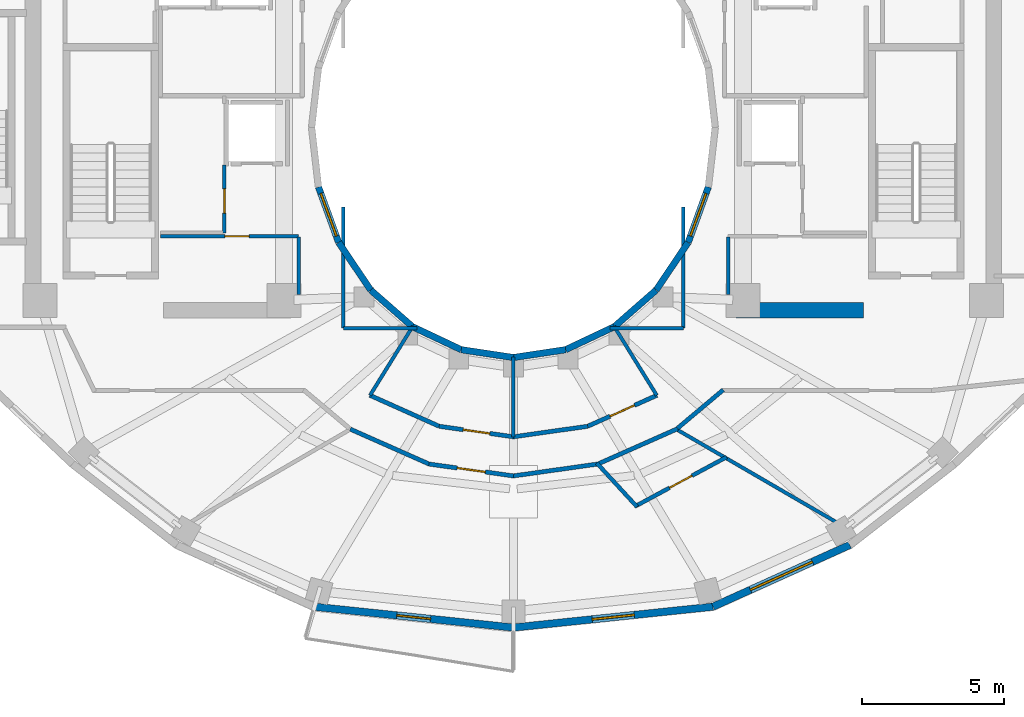
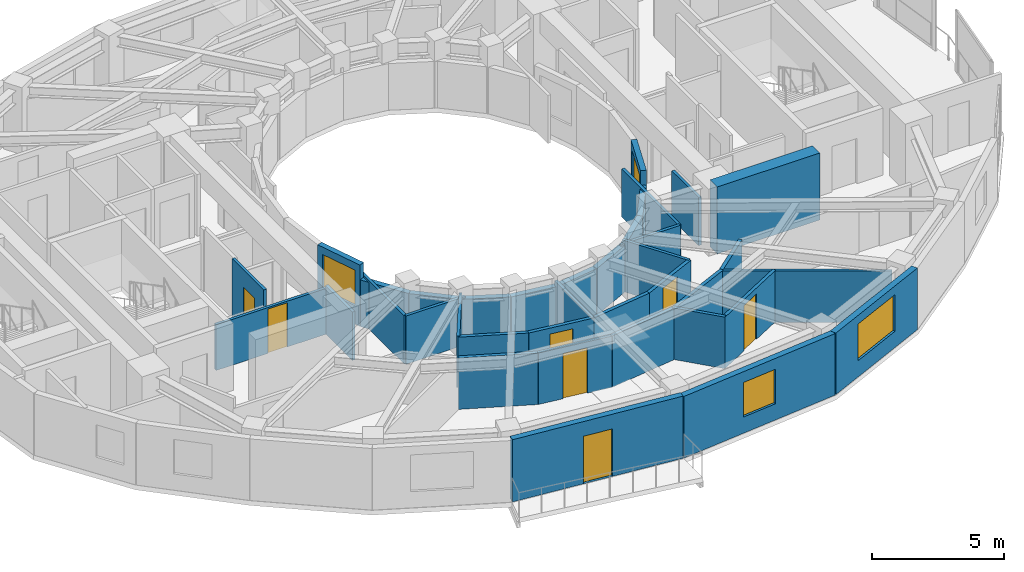
# One storey, part 6 of 12: 37 walls, 7 doors, 4 windows, 11 openings.
"""IFC4 building model written with IfcOpenShell, lengths in metres."""

from ifc_helpers import new_model, si_unit, direction, frame, frame_2d, origin, place, context, subcontext, project, spatial, rectangle, extrude, material, layer, layer_set, type_object, element, fill, save


model = new_model("IFC4")

# Units and contexts
model_context = context("Model", 3, precision=1e-05, world=origin(), true_north=direction((0.0, 1.0)))
body_context = subcontext(model_context, "Body", "Model", "MODEL_VIEW")
ifc_project = project(units=[si_unit("LENGTHUNIT", "METRE"), si_unit("AREAUNIT", "SQUARE_METRE"), si_unit("VOLUMEUNIT", "CUBIC_METRE"), si_unit("PLANEANGLEUNIT", "RADIAN"), si_unit("MASSUNIT", "GRAM", prefix="KILO")], contexts=[model_context])

# Site, building, storey
site_placement = place(None, origin())
site = spatial("IfcSite", under=ifc_project, at=site_placement, CompositionType="ELEMENT")
building_placement = place(site_placement, origin())
building = spatial("IfcBuilding", under=site, at=building_placement, Name="Solvane Sanctuary Tower", CompositionType="ELEMENT")
storey_placement = place(building_placement, frame((0.0, 0.0, 214.0)))
storey = spatial("IfcBuildingStorey", under=building, at=storey_placement, Name="L65", CompositionType="ELEMENT", Elevation=214.0)

# Walls
ifc_material_1 = material(Name="Concrete C50/60", Category="concrete")
ifc_layer_1 = layer(ifc_material_1, 0.550048828125, Name="Concrete C50/60")
ifc_layer_set_1 = layer_set([ifc_layer_1], Name="Concrete C50/60")
wall_type_1 = type_object("IfcWallType", Name="Wall W-CORE-550", PredefinedType="SHEAR", material=ifc_layer_set_1)
wall_1_placement = place(storey_placement, frame((39.85009765625, 16.550048828125, 0.0), z_axis=(0.0, 0.0, 1.0), x_axis=(1.0, 0.0, 0.0)))
element("IfcWall", 1, at=wall_1_placement, inside=storey, type_object=wall_type_1, Name="L65 Core Shear Wall EC-S", PredefinedType="SHEAR", context=body_context, shape_type="SweptSolid", body=[
    extrude(rectangle(XDim=4.5, YDim=0.550048828125, at=frame_2d((2.25, 0.0))), origin(), (0.0, 0.0, 1.0), 3.10009765625),
])
ifc_material_2 = material(Name="Acoustic Gypsum Partition Board")
ifc_layer_2 = layer(ifc_material_2, 0.14990234375, Name="Acoustic Gypsum Partition Board")
ifc_layer_set_2 = layer_set([ifc_layer_2], Name="Acoustic Gypsum Partition Board")
wall_type_2 = type_object("IfcWallType", Name="Wall W-CORR-150", PredefinedType="PARTITIONING", material=ifc_layer_set_2)
wall_2_placement = place(storey_placement, frame((26.934814453125, 13.548583984375, 0.0), z_axis=(0.0, 0.0, 1.0), x_axis=(0.912859324183, -0.408274239027, 0.0)))
element("IfcWall", 2, at=wall_2_placement, inside=storey, type_object=wall_type_2, Name="L65 South Light-Well Corridor Wall 1", PredefinedType="PARTITIONING", context=body_context, shape_type="SweptSolid", body=[
    extrude(rectangle(XDim=2.681884765625, YDim=0.14990234375, at=frame_2d((1.3408203125, 0.0))), origin(), (0.0, 0.0, 1.0), 2.3759765625),
])

# Wall, opening, door
wall_3_placement = place(storey_placement, frame((29.379638671875, 12.45458984375, 0.0), z_axis=(0.0, 0.0, 1.0), x_axis=(0.990096156252, -0.140390887794, 0.0)))
wall_3 = element("IfcWall", 3, at=wall_3_placement, inside=storey, type_object=wall_type_2, Name="L65 South Light-Well Corridor Wall 1", PredefinedType="PARTITIONING", context=body_context, shape_type="SweptSolid", body=[
    extrude(rectangle(XDim=2.65380859375, YDim=0.14990234375, at=frame_2d((1.326904296875, 0.0))), origin(), (0.0, 0.0, 1.0), 2.3759765625),
])
opening_1_placement = place(wall_3_placement, frame((0.851806640625, 0.0, 0.0)))
opening_1 = element("IfcOpeningElement", 4, at=opening_1_placement, cuts=wall_3, Name="Opening D-L65-16", PredefinedType="OPENING", context=body_context, shape_type="SweptSolid", body=[
    extrude(rectangle(XDim=0.949951171875, YDim=2.10009765625, at=frame_2d((0.47509765625, 1.050048828125))), frame((0.0, 0.0849609375, 0.0), z_axis=(0.0, -1.0, 0.0), x_axis=(1.0, 0.0, 0.0)), (0.0, 0.0, 1.0), 0.169921875),
])
ifc_material_3 = material(Name="Engineered Tropical Hardwood", Category="wood")
door_type_1 = type_object("IfcDoorType", Name="Door D-ROOM-950", OperationType="NOTDEFINED", PredefinedType="DOOR", material=ifc_material_3)
door_1_placement = place(opening_1_placement, origin())
door_1 = element("IfcDoor", 5, at=door_1_placement, inside=storey, type_object=door_type_1, Name="L65 South Light-Well Alcove Door 1", OperationType="SINGLE_SWING_RIGHT", OverallHeight=2.10009765625, OverallWidth=0.949951171875, PredefinedType="DOOR", context=body_context, shape_type="SweptSolid", body=[
    extrude(rectangle(XDim=0.949951171875, YDim=2.10009765625, at=frame_2d((0.47509765625, 1.050048828125))), frame((0.0, 0.02490234375, 0.0), z_axis=(0.0, -1.0, 0.0), x_axis=(1.0, 0.0, 0.0)), (0.0, 0.0, 1.0), 0.050048828125),
])
fill(opening_1, door_1)

# Wall
wall_4_placement = place(storey_placement, frame((31.992919921875, 12.08203125, 0.0), z_axis=(0.0, 0.0, 1.0), x_axis=(0.990096156252, 0.140390887794, 0.0)))
element("IfcWall", 6, at=wall_4_placement, inside=storey, type_object=wall_type_2, Name="L65 South Light-Well Corridor Wall 2", PredefinedType="PARTITIONING", context=body_context, shape_type="SweptSolid", body=[
    extrude(rectangle(XDim=2.65380859375, YDim=0.14990234375, at=frame_2d((1.326904296875, 0.0))), origin(), (0.0, 0.0, 1.0), 2.3759765625),
])

# Wall, opening, door
wall_5_placement = place(storey_placement, frame((34.616943359375, 12.45361328125, 0.0), z_axis=(0.0, 0.0, 1.0), x_axis=(0.912859324183, 0.408274239027, 0.0)))
wall_5 = element("IfcWall", 7, at=wall_5_placement, inside=storey, type_object=wall_type_2, Name="L65 South Light-Well Corridor Wall 2", PredefinedType="PARTITIONING", context=body_context, shape_type="SweptSolid", body=[
    extrude(rectangle(XDim=2.681884765625, YDim=0.14990234375, at=frame_2d((1.3408203125, 0.0))), origin(), (0.0, 0.0, 1.0), 2.3759765625),
])
opening_2_placement = place(wall_5_placement, frame((0.865966796875, 0.0, 0.0)))
opening_2 = element("IfcOpeningElement", 8, at=opening_2_placement, cuts=wall_5, Name="Opening D-L65-17", PredefinedType="OPENING", context=body_context, shape_type="SweptSolid", body=[
    extrude(rectangle(XDim=0.949951171875, YDim=2.10009765625, at=frame_2d((0.47509765625, 1.050048828125))), frame((0.0, 0.0849609375, 0.0), z_axis=(0.0, -1.0, 0.0), x_axis=(1.0, 0.0, 0.0)), (0.0, 0.0, 1.0), 0.169921875),
])
door_2_placement = place(opening_2_placement, origin())
door_2 = element("IfcDoor", 9, at=door_2_placement, inside=storey, type_object=door_type_1, Name="L65 South Light-Well Alcove Door 2", OperationType="SINGLE_SWING_LEFT", OverallHeight=2.10009765625, OverallWidth=0.949951171875, PredefinedType="DOOR", context=body_context, shape_type="SweptSolid", body=[
    extrude(rectangle(XDim=0.949951171875, YDim=2.10009765625, at=frame_2d((0.47509765625, 1.050048828125))), frame((0.0, 0.02490234375, 0.0), z_axis=(0.0, -1.0, 0.0), x_axis=(1.0, 0.0, 0.0)), (0.0, 0.0, 1.0), 0.050048828125),
])
fill(opening_2, door_2)

# Walls
wall_6_placement = place(storey_placement, frame((37.791015625, 12.385009765625, 0.0), z_axis=(0.0, 0.0, 1.0), x_axis=(0.765677451641, 0.643224719711, 0.0)))
element("IfcWall", 10, at=wall_6_placement, inside=storey, type_object=wall_type_2, Name="L65 SE Corner Throat Wall", PredefinedType="PARTITIONING", context=body_context, shape_type="SweptSolid", body=[
    extrude(rectangle(XDim=2.10546875, YDim=0.14990234375, at=frame_2d((1.052734375, 0.0))), origin(), (0.0, 0.0, 1.0), 2.3759765625),
])
wall_7_placement = place(storey_placement, frame((34.93017578125, 11.1005859375, 0.0), z_axis=(0.0, 0.0, 1.0), x_axis=(0.914264054844, 0.405118794949, 0.0)))
element("IfcWall", 11, at=wall_7_placement, inside=storey, type_object=wall_type_2, Name="L65 En-suite Inner Wall S1", PredefinedType="PARTITIONING", context=body_context, shape_type="SweptSolid", body=[
    extrude(rectangle(XDim=3.133056640625, YDim=0.14990234375, at=frame_2d((1.56640625, 0.0))), origin(), (0.0, 0.0, 1.0), 2.3759765625),
])
wall_8_placement = place(storey_placement, frame((26.243896484375, 12.35400390625, 0.0), z_axis=(0.0, 0.0, 1.0), x_axis=(0.914302802833, -0.405031337963, 0.0)))
element("IfcWall", 12, at=wall_8_placement, inside=storey, type_object=wall_type_2, Name="L65 Unit Corridor Wall S1", PredefinedType="PARTITIONING", context=body_context, shape_type="SweptSolid", body=[
    extrude(rectangle(XDim=3.04931640625, YDim=0.14990234375, at=frame_2d((1.524658203125, 0.0))), origin(), (0.0, 0.0, 1.0), 2.3759765625),
])

# Wall, opening, door
wall_9_placement = place(storey_placement, frame((29.016357421875, 11.123291015625, 0.0), z_axis=(0.0, 0.0, 1.0), x_axis=(0.990225561979, -0.139475217886, 0.0)))
wall_9 = element("IfcWall", 13, at=wall_9_placement, inside=storey, type_object=wall_type_2, Name="L65 Unit Corridor Wall S1", PredefinedType="PARTITIONING", context=body_context, shape_type="SweptSolid", body=[
    extrude(rectangle(XDim=3.021240234375, YDim=0.14990234375, at=frame_2d((1.5107421875, 0.0))), origin(), (0.0, 0.0, 1.0), 2.3759765625),
])
opening_3_placement = place(wall_9_placement, frame((1.010498046875, 0.0, 0.0)))
opening_3 = element("IfcOpeningElement", 14, at=opening_3_placement, cuts=wall_9, Name="Opening D-L65-27", PredefinedType="OPENING", context=body_context, shape_type="SweptSolid", body=[
    extrude(rectangle(XDim=1.0, YDim=2.10009765625, at=frame_2d((0.5, 1.050048828125))), frame((0.0, 0.0849609375, 0.0), z_axis=(0.0, -1.0, 0.0), x_axis=(1.0, 0.0, 0.0)), (0.0, 0.0, 1.0), 0.169921875),
])
door_type_2 = type_object("IfcDoorType", Name="Door D-UNIT", OperationType="NOTDEFINED", PredefinedType="DOOR", material=ifc_material_3)
door_3_placement = place(opening_3_placement, origin())
door_3 = element("IfcDoor", 15, at=door_3_placement, inside=storey, type_object=door_type_2, Name="L65 Unit Entrance Door S1", OperationType="SINGLE_SWING_LEFT", OverallHeight=2.10009765625, OverallWidth=1.0, PredefinedType="DOOR", context=body_context, shape_type="SweptSolid", body=[
    extrude(rectangle(XDim=1.0, YDim=2.10009765625, at=frame_2d((0.5, 1.050048828125))), frame((0.0, 0.02490234375, 0.0), z_axis=(0.0, -1.0, 0.0), x_axis=(1.0, 0.0, 0.0)), (0.0, 0.0, 1.0), 0.050048828125),
])
fill(opening_3, door_3)

# Wall
wall_10_placement = place(storey_placement, frame((31.991943359375, 10.701904296875, 0.0), z_axis=(0.0, 0.0, 1.0), x_axis=(0.990225561979, 0.139475217886, 0.0)))
element("IfcWall", 16, at=wall_10_placement, inside=storey, type_object=wall_type_2, Name="L65 Unit Corridor Wall S1", PredefinedType="PARTITIONING", context=body_context, shape_type="SweptSolid", body=[
    extrude(rectangle(XDim=3.021240234375, YDim=0.14990234375, at=frame_2d((1.5107421875, 0.0))), origin(), (0.0, 0.0, 1.0), 2.3759765625),
])

# Wall, opening, door
ifc_material_4 = material(Name="Precast concrete C40/50", Category="concrete")
ifc_layer_3 = layer(ifc_material_4, 0.260009765625, Name="Precast concrete C40/50")
ifc_layer_set_3 = layer_set([ifc_layer_3], Name="Precast concrete C40/50")
wall_type_3 = type_object("IfcWallType", Name="Wall W-EXT-250", PredefinedType="STANDARD", material=ifc_layer_set_3)
wall_11_placement = place(storey_placement, frame((24.95703125, 6.088134765625, 0.0), z_axis=(0.0, 0.0, 1.0), x_axis=(0.994582822721, -0.103947144014, 0.0)))
wall_11 = element("IfcWall", 17, at=wall_11_placement, inside=storey, type_object=wall_type_3, Name="L65 Balcony Facade Wall SC", PredefinedType="STANDARD", context=body_context, shape_type="SweptSolid", body=[
    extrude(rectangle(XDim=7.081298828125, YDim=0.260009765625, at=frame_2d((3.54052734375, 0.0))), origin(), (0.0, 0.0, 1.0), 2.8798828125),
])
opening_4_placement = place(wall_11_placement, frame((2.940673828125, 0.0, 0.0)))
opening_4 = element("IfcOpeningElement", 18, at=opening_4_placement, cuts=wall_11, Name="Opening D-L65-02", PredefinedType="OPENING", context=body_context, shape_type="SweptSolid", body=[
    extrude(rectangle(XDim=1.199951171875, YDim=2.199951171875, at=frame_2d((0.60009765625, 1.10009765625))), frame((0.0, 0.139892578125, 0.0), z_axis=(0.0, -1.0, 0.0), x_axis=(1.0, 0.0, 0.0)), (0.0, 0.0, 1.0), 0.280029296875),
])
ifc_material_5 = material(Name="Anodised Aluminium 6063-T6", Category="aluminium")
door_type_3 = type_object("IfcDoorType", Name="Door D-BALC-1200", OperationType="NOTDEFINED", PredefinedType="DOOR", material=ifc_material_5)
door_4_placement = place(opening_4_placement, origin())
door_4 = element("IfcDoor", 19, at=door_4_placement, inside=storey, type_object=door_type_3, Name="L65 Glazed Balcony Door SC", OperationType="SINGLE_SWING_LEFT", OverallHeight=2.199951171875, OverallWidth=1.199951171875, PredefinedType="DOOR", context=body_context, shape_type="SweptSolid", body=[
    extrude(rectangle(XDim=1.199951171875, YDim=2.199951171875, at=frame_2d((0.60009765625, 1.10009765625))), frame((0.0, 0.02490234375, 0.0), z_axis=(0.0, -1.0, 0.0), x_axis=(1.0, 0.0, 0.0)), (0.0, 0.0, 1.0), 0.050048828125),
])
fill(opening_4, door_4)

# Wall, opening, window
wall_12_placement = place(storey_placement, frame((32.0, 5.35205078125, 0.0), z_axis=(0.0, 0.0, 1.0), x_axis=(0.994582822721, 0.103947144014, 0.0)))
wall_12 = element("IfcWall", 20, at=wall_12_placement, inside=storey, type_object=wall_type_3, Name="L65 Ceramic-Printed Facade Wall 18", PredefinedType="STANDARD", context=body_context, shape_type="SweptSolid", body=[
    extrude(rectangle(XDim=7.081298828125, YDim=0.260009765625, at=frame_2d((3.54052734375, 0.0))), origin(), (0.0, 0.0, 1.0), 2.85009765625),
])
opening_5_placement = place(wall_12_placement, frame((2.790771484375, 0.0, 0.75)))
opening_5 = element("IfcOpeningElement", 21, at=opening_5_placement, cuts=wall_12, Name="Opening WN-OPER-1500", PredefinedType="OPENING", context=body_context, shape_type="SweptSolid", body=[
    extrude(rectangle(XDim=1.5, YDim=1.60009765625, at=frame_2d((0.75, 0.800048828125))), frame((0.0, 0.139892578125, 0.0), z_axis=(0.0, -1.0, 0.0), x_axis=(1.0, 0.0, 0.0)), (0.0, 0.0, 1.0), 0.280029296875),
])
ifc_material_6 = material(Name="Dark Ceramic-Fritted Low-E Glass", Category="glass")
window_type_1 = type_object("IfcWindowType", Name="Window WN-OPER-1500", PartitioningType="SINGLE_PANEL", PredefinedType="WINDOW", material=ifc_material_6)
window_1_placement = place(opening_5_placement, origin())
window_1 = element("IfcWindow", 22, at=window_1_placement, inside=storey, type_object=window_type_1, Name="L65 Operable Facade Window 18", OverallHeight=1.60009765625, OverallWidth=1.5, PartitioningType="SINGLE_PANEL", PredefinedType="WINDOW", context=body_context, shape_type="SweptSolid", body=[
    extrude(rectangle(XDim=1.5, YDim=1.60009765625, at=frame_2d((0.75, 0.800048828125))), frame((0.0, 0.030029296875, 0.0), z_axis=(0.0, -1.0, 0.0), x_axis=(1.0, 0.0, 0.0)), (0.0, 0.0, 1.0), 0.06005859375),
])
fill(opening_5, window_1)

wall_13_placement = place(storey_placement, frame((39.04296875, 6.088134765625, 0.0), z_axis=(0.0, 0.0, 1.0), x_axis=(0.911427484938, 0.411460738952, 0.0)))
wall_13 = element("IfcWall", 23, at=wall_13_placement, inside=storey, type_object=wall_type_3, Name="L65 Ceramic-Printed Facade Wall 19", PredefinedType="STANDARD", context=body_context, shape_type="SweptSolid", body=[
    extrude(rectangle(XDim=5.296142578125, YDim=0.260009765625, at=frame_2d((2.64794921875, 0.0))), origin(), (0.0, 0.0, 1.0), 2.85009765625),
])
opening_6_placement = place(wall_13_placement, frame((1.447998046875, 0.0, 0.75)))
opening_6 = element("IfcOpeningElement", 24, at=opening_6_placement, cuts=wall_13, Name="Opening WN-RIB-2400", PredefinedType="OPENING", context=body_context, shape_type="SweptSolid", body=[
    extrude(rectangle(XDim=2.39990234375, YDim=1.699951171875, at=frame_2d((1.199951171875, 0.85009765625))), frame((0.0, 0.139892578125, 0.0), z_axis=(0.0, -1.0, 0.0), x_axis=(1.0, 0.0, 0.0)), (0.0, 0.0, 1.0), 0.280029296875),
])
window_type_2 = type_object("IfcWindowType", Name="Window WN-RIB-2400", PartitioningType="SINGLE_PANEL", PredefinedType="WINDOW", material=ifc_material_6)
window_2_placement = place(opening_6_placement, origin())
window_2 = element("IfcWindow", 25, at=window_2_placement, inside=storey, type_object=window_type_2, Name="L65 Operable Facade Window 19", OverallHeight=1.699951171875, OverallWidth=2.39990234375, PartitioningType="SINGLE_PANEL", PredefinedType="WINDOW", context=body_context, shape_type="SweptSolid", body=[
    extrude(rectangle(XDim=2.39990234375, YDim=1.699951171875, at=frame_2d((1.199951171875, 0.85009765625))), frame((0.0, 0.030029296875, 0.0), z_axis=(0.0, -1.0, 0.0), x_axis=(1.0, 0.0, 0.0)), (0.0, 0.0, 1.0), 0.06005859375),
])
fill(opening_6, window_2)

ifc_layer_4 = layer(ifc_material_4, 0.22998046875, Name="Precast concrete C40/50")
ifc_layer_set_4 = layer_set([ifc_layer_4], Name="Precast concrete C40/50")
wall_type_4 = type_object("IfcWallType", Name="Wall W-EXT-SP220", PredefinedType="STANDARD", material=ifc_layer_set_4)
wall_14_placement = place(storey_placement, frame((25.12255859375, 20.8984375, 0.0), z_axis=(0.0, 0.0, 1.0), x_axis=(0.341423187295, -0.93990968033, 0.0)))
wall_14 = element("IfcWall", 26, at=wall_14_placement, inside=storey, type_object=wall_type_4, Name="L65 Central Light-Well Wall 13", PredefinedType="STANDARD", context=body_context, shape_type="SweptSolid", body=[
    extrude(rectangle(XDim=2.083740234375, YDim=0.22998046875, at=frame_2d((1.0419921875, 0.0))), origin(), (0.0, 0.0, 1.0), 2.840087890625),
])
opening_7_placement = place(wall_14_placement, frame((0.24169921875, 0.0, 0.85009765625)))
opening_7 = element("IfcOpeningElement", 27, at=opening_7_placement, cuts=wall_14, Name="Opening WN-WELL-1600", PredefinedType="OPENING", context=body_context, shape_type="SweptSolid", body=[
    extrude(rectangle(XDim=1.60009765625, YDim=1.64990234375, at=frame_2d((0.800048828125, 0.824951171875))), frame((0.0, 0.125, 0.0), z_axis=(0.0, -1.0, 0.0), x_axis=(1.0, 0.0, 0.0)), (0.0, 0.0, 1.0), 0.25),
])
ifc_material_7 = material(Name="Clear Laminated Light-Well Glass", Category="glass")
window_type_3 = type_object("IfcWindowType", Name="Window WN-WELL-1600", PartitioningType="SINGLE_PANEL", PredefinedType="WINDOW", material=ifc_material_7)
window_3_placement = place(opening_7_placement, origin())
window_3 = element("IfcWindow", 28, at=window_3_placement, inside=storey, type_object=window_type_3, Name="L65 Light-Well Daylight Window 13", OverallHeight=1.64990234375, OverallWidth=1.60009765625, PartitioningType="SINGLE_PANEL", PredefinedType="WINDOW", context=body_context, shape_type="SweptSolid", body=[
    extrude(rectangle(XDim=1.60009765625, YDim=1.64990234375, at=frame_2d((0.800048828125, 0.824951171875))), frame((0.0, 0.030029296875, 0.0), z_axis=(0.0, -1.0, 0.0), x_axis=(1.0, 0.0, 0.0)), (0.0, 0.0, 1.0), 0.06005859375),
])
fill(opening_7, window_3)

# Walls
wall_15_placement = place(storey_placement, frame((25.833984375, 18.93994140625, 0.0), z_axis=(0.0, 0.0, 1.0), x_axis=(0.558197800898, -0.829707909492, 0.0)))
element("IfcWall", 29, at=wall_15_placement, inside=storey, type_object=wall_type_4, Name="L65 Central Light-Well Wall 14", PredefinedType="STANDARD", context=body_context, shape_type="SweptSolid", body=[
    extrude(rectangle(XDim=2.02685546875, YDim=0.22998046875, at=frame_2d((1.013427734375, 0.0))), origin(), (0.0, 0.0, 1.0), 2.159912109375),
])
wall_16_placement = place(storey_placement, frame((26.96533203125, 17.25830078125, 0.0), z_axis=(0.0, 0.0, 1.0), x_axis=(0.752576694707, -0.658504607869, 0.0)))
element("IfcWall", 30, at=wall_16_placement, inside=storey, type_object=wall_type_4, Name="L65 Central Light-Well Wall 15", PredefinedType="STANDARD", context=body_context, shape_type="SweptSolid", body=[
    extrude(rectangle(XDim=1.95947265625, YDim=0.22998046875, at=frame_2d((0.979736328125, 0.0))), origin(), (0.0, 0.0, 1.0), 2.159912109375),
])
wall_17_placement = place(storey_placement, frame((28.43994140625, 15.968017578125, 0.0), z_axis=(0.0, 0.0, 1.0), x_axis=(0.904179699603, -0.427152280606, 0.0)))
element("IfcWall", 31, at=wall_17_placement, inside=storey, type_object=wall_type_4, Name="L65 Central Light-Well Wall 16", PredefinedType="STANDARD", context=body_context, shape_type="SweptSolid", body=[
    extrude(rectangle(XDim=1.899169921875, YDim=0.22998046875, at=frame_2d((0.94970703125, 0.0))), origin(), (0.0, 0.0, 1.0), 2.159912109375),
])
for number, where, z_axis, x_axis, name in (
    (32, (30.1572265625, 15.15673828125, 0.0), (0.0, 0.0, 1.0), (0.988901730308, -0.148571086668, 0.0), "L65 Central Light-Well Wall 17"),
    (33, (32.0, 14.8798828125, 0.0), (0.0, 0.0, 1.0), (0.988901730308, 0.148571086668, 0.0), "L65 Central Light-Well Wall 18"),
):
    element("IfcWall", number, at=place(storey_placement, frame(where, z_axis=z_axis, x_axis=x_axis)), inside=storey, type_object=wall_type_4, Name=name, PredefinedType="STANDARD", context=body_context, shape_type="SweptSolid", body=[
        extrude(rectangle(XDim=1.863525390625, YDim=0.22998046875, at=frame_2d((0.931640625, 0.0))), origin(), (0.0, 0.0, 1.0), 2.159912109375),
    ])
wall_18_placement = place(storey_placement, frame((33.8427734375, 15.15673828125, 0.0), z_axis=(0.0, 0.0, 1.0), x_axis=(0.904179699603, 0.427152280606, 0.0)))
element("IfcWall", 34, at=wall_18_placement, inside=storey, type_object=wall_type_4, Name="L65 Central Light-Well Wall 19", PredefinedType="STANDARD", context=body_context, shape_type="SweptSolid", body=[
    extrude(rectangle(XDim=1.899169921875, YDim=0.22998046875, at=frame_2d((0.94970703125, 0.0))), origin(), (0.0, 0.0, 1.0), 2.159912109375),
])
wall_19_placement = place(storey_placement, frame((35.56005859375, 15.968017578125, 0.0), z_axis=(0.0, 0.0, 1.0), x_axis=(0.752576694707, 0.658504607869, 0.0)))
element("IfcWall", 35, at=wall_19_placement, inside=storey, type_object=wall_type_4, Name="L65 Central Light-Well Wall 20", PredefinedType="STANDARD", context=body_context, shape_type="SweptSolid", body=[
    extrude(rectangle(XDim=1.95947265625, YDim=0.22998046875, at=frame_2d((0.979736328125, 0.0))), origin(), (0.0, 0.0, 1.0), 2.159912109375),
])
wall_20_placement = place(storey_placement, frame((37.03466796875, 17.25830078125, 0.0), z_axis=(0.0, 0.0, 1.0), x_axis=(0.558197800898, 0.829707909492, 0.0)))
element("IfcWall", 36, at=wall_20_placement, inside=storey, type_object=wall_type_4, Name="L65 Central Light-Well Wall 21", PredefinedType="STANDARD", context=body_context, shape_type="SweptSolid", body=[
    extrude(rectangle(XDim=2.02685546875, YDim=0.22998046875, at=frame_2d((1.013427734375, 0.0))), origin(), (0.0, 0.0, 1.0), 2.159912109375),
])

# Wall, opening, window
wall_21_placement = place(storey_placement, frame((38.166015625, 18.93994140625, 0.0), z_axis=(0.0, 0.0, 1.0), x_axis=(0.341423187295, 0.93990968033, 0.0)))
wall_21 = element("IfcWall", 37, at=wall_21_placement, inside=storey, type_object=wall_type_4, Name="L65 Central Light-Well Wall 22", PredefinedType="STANDARD", context=body_context, shape_type="SweptSolid", body=[
    extrude(rectangle(XDim=2.083740234375, YDim=0.22998046875, at=frame_2d((1.0419921875, 0.0))), origin(), (0.0, 0.0, 1.0), 2.840087890625),
])
opening_8_placement = place(wall_21_placement, frame((0.24169921875, 0.0, 0.85009765625)))
opening_8 = element("IfcOpeningElement", 38, at=opening_8_placement, cuts=wall_21, Name="Opening WN-WELL-1600", PredefinedType="OPENING", context=body_context, shape_type="SweptSolid", body=[
    extrude(rectangle(XDim=1.60009765625, YDim=1.64990234375, at=frame_2d((0.800048828125, 0.824951171875))), frame((0.0, 0.125, 0.0), z_axis=(0.0, -1.0, 0.0), x_axis=(1.0, 0.0, 0.0)), (0.0, 0.0, 1.0), 0.25),
])
window_4_placement = place(opening_8_placement, origin())
window_4 = element("IfcWindow", 39, at=window_4_placement, inside=storey, type_object=window_type_3, Name="L65 Light-Well Daylight Window 22", OverallHeight=1.64990234375, OverallWidth=1.60009765625, PartitioningType="SINGLE_PANEL", PredefinedType="WINDOW", context=body_context, shape_type="SweptSolid", body=[
    extrude(rectangle(XDim=1.60009765625, YDim=1.64990234375, at=frame_2d((0.800048828125, 0.824951171875))), frame((0.0, 0.030029296875, 0.0), z_axis=(0.0, -1.0, 0.0), x_axis=(1.0, 0.0, 0.0)), (0.0, 0.0, 1.0), 0.06005859375),
])
fill(opening_8, window_4)

# Wall, opening, door
ifc_layer_5 = layer(ifc_material_2, 0.125, Name="Acoustic Gypsum Partition Board")
ifc_layer_set_5 = layer_set([ifc_layer_5], Name="Acoustic Gypsum Partition Board")
wall_type_5 = type_object("IfcWallType", Name="Wall W-PART-125", PredefinedType="PARTITIONING", material=ifc_layer_set_5)
wall_22_placement = place(storey_placement, frame((19.550048828125, 19.159912109375, 0.0), z_axis=(0.0, 0.0, 1.0), x_axis=(1.0, 0.0, 0.0)))
wall_22 = element("IfcWall", 40, at=wall_22_placement, inside=storey, type_object=wall_type_5, Name="L65 Reclaimed Room Partition PLW", PredefinedType="PARTITIONING", context=body_context, shape_type="SweptSolid", body=[
    extrude(rectangle(XDim=4.869873046875, YDim=0.125, at=frame_2d((2.43505859375, 0.0))), origin(), (0.0, 0.0, 1.0), 2.1201171875),
])
opening_9_placement = place(wall_22_placement, frame((2.271728515625, 0.0, 0.0)))
opening_9 = element("IfcOpeningElement", 41, at=opening_9_placement, cuts=wall_22, Name="Opening D-L65-08", PredefinedType="OPENING", context=body_context, shape_type="SweptSolid", body=[
    extrude(rectangle(XDim=0.85009765625, YDim=2.050048828125, at=frame_2d((0.425048828125, 1.02490234375))), frame((0.0, 0.072509765625, 0.0), z_axis=(0.0, -1.0, 0.0), x_axis=(1.0, 0.0, 0.0)), (0.0, 0.0, 1.0), 0.14501953125),
])
ifc_material_8 = material(Name="Architectural Stainless Steel 316", Category="steel")
door_type_4 = type_object("IfcDoorType", Name="Door D-RISER", OperationType="NOTDEFINED", PredefinedType="DOOR", material=ifc_material_8)
door_5_placement = place(opening_9_placement, origin())
door_5 = element("IfcDoor", 42, at=door_5_placement, inside=storey, type_object=door_type_4, Name="L65 Reclaimed Room Door PLW-1", OperationType="SINGLE_SWING_RIGHT", OverallHeight=2.050048828125, OverallWidth=0.85009765625, PredefinedType="DOOR", context=body_context, shape_type="SweptSolid", body=[
    extrude(rectangle(XDim=0.85009765625, YDim=2.050048828125, at=frame_2d((0.425048828125, 1.02490234375))), frame((0.0, 0.02490234375, 0.0), z_axis=(0.0, -1.0, 0.0), x_axis=(1.0, 0.0, 0.0)), (0.0, 0.0, 1.0), 0.050048828125),
])
fill(opening_9, door_5)

# Walls
for number, where, z_axis, x_axis, name in (
    (43, (24.419921875, 17.10009765625, 0.0), (0.0, 0.0, 1.0), (0.0, 1.0, 0.0), "L65 Reclaimed Room Closer Wall PLW-1"),
    (44, (39.580078125, 17.10009765625, 0.0), (0.0, 0.0, 1.0), (0.0, 1.0, 0.0), "L65 Reclaimed Room Closer Wall PLE-1"),
):
    element("IfcWall", number, at=place(storey_placement, frame(where, z_axis=z_axis, x_axis=x_axis)), inside=storey, type_object=wall_type_5, Name=name, PredefinedType="PARTITIONING", context=body_context, shape_type="SweptSolid", body=[
        extrude(rectangle(XDim=2.039794921875, YDim=0.125, at=frame_2d((1.02001953125, 0.0))), origin(), (0.0, 0.0, 1.0), 2.23193359375),
    ])

# Wall, opening, door
wall_23_placement = place(storey_placement, frame((21.800048828125, 19.280029296875, 0.0), z_axis=(0.0, 0.0, 1.0), x_axis=(0.0, 1.0, 0.0)))
wall_23 = element("IfcWall", 45, at=wall_23_placement, inside=storey, type_object=wall_type_5, Name="L65 Reclaimed Room Partition PMW", PredefinedType="PARTITIONING", context=body_context, shape_type="SweptSolid", body=[
    extrude(rectangle(XDim=2.39990234375, YDim=0.125, at=frame_2d((1.199951171875, 0.0))), origin(), (0.0, 0.0, 1.0), 2.85498046875),
])
opening_10_placement = place(wall_23_placement, frame((0.699951171875, 0.0, 0.0)))
opening_10 = element("IfcOpeningElement", 46, at=opening_10_placement, cuts=wall_23, Name="Opening D-L65-10", PredefinedType="OPENING", context=body_context, shape_type="SweptSolid", body=[
    extrude(rectangle(XDim=0.85009765625, YDim=2.050048828125, at=frame_2d((0.425048828125, 1.02490234375))), frame((0.0, 0.072509765625, 0.0), z_axis=(0.0, -1.0, 0.0), x_axis=(1.0, 0.0, 0.0)), (0.0, 0.0, 1.0), 0.14501953125),
])
door_6_placement = place(opening_10_placement, origin())
door_6 = element("IfcDoor", 47, at=door_6_placement, inside=storey, type_object=door_type_4, Name="L65 Reclaimed Room Door PMW-1", OperationType="SINGLE_SWING_RIGHT", OverallHeight=2.050048828125, OverallWidth=0.85009765625, PredefinedType="DOOR", context=body_context, shape_type="SweptSolid", body=[
    extrude(rectangle(XDim=0.85009765625, YDim=2.050048828125, at=frame_2d((0.425048828125, 1.02490234375))), frame((0.0, 0.02490234375, 0.0), z_axis=(0.0, -1.0, 0.0), x_axis=(1.0, 0.0, 0.0)), (0.0, 0.0, 1.0), 0.050048828125),
])
fill(opening_10, door_6)

# Walls
wall_24_placement = place(storey_placement, frame((28.449951171875, 15.985107421875, 0.0), z_axis=(0.0, 0.0, 1.0), x_axis=(-0.52592395012, -0.850531597702, 0.0)))
element("IfcWall", 48, at=wall_24_placement, inside=storey, type_object=wall_type_5, Name="L65 South Light-Well Radial Wall 240", PredefinedType="PARTITIONING", context=body_context, shape_type="SweptSolid", body=[
    extrude(rectangle(XDim=2.869384765625, YDim=0.125, at=frame_2d((1.4345703125, 0.0))), origin(), (0.0, 0.0, 1.0), 2.3759765625),
])
wall_25_placement = place(storey_placement, frame((32.0, 14.89990234375, 0.0), z_axis=(0.0, 0.0, 1.0), x_axis=(0.0, -1.0, 0.0)))
element("IfcWall", 49, at=wall_25_placement, inside=storey, type_object=wall_type_5, Name="L65 South Light-Well Radial Wall 270", PredefinedType="PARTITIONING", context=body_context, shape_type="SweptSolid", body=[
    extrude(rectangle(XDim=2.81787109375, YDim=0.125, at=frame_2d((1.408935546875, 0.0))), origin(), (0.0, 0.0, 1.0), 2.3759765625),
])
wall_26_placement = place(storey_placement, frame((35.550048828125, 15.985107421875, 0.0), z_axis=(0.0, 0.0, 1.0), x_axis=(0.52592395012, -0.850531597702, 0.0)))
element("IfcWall", 50, at=wall_26_placement, inside=storey, type_object=wall_type_5, Name="L65 South Light-Well Radial Wall 300", PredefinedType="PARTITIONING", context=body_context, shape_type="SweptSolid", body=[
    extrude(rectangle(XDim=2.869384765625, YDim=0.125, at=frame_2d((1.4345703125, 0.0))), origin(), (0.0, 0.0, 1.0), 2.3759765625),
])
wall_27_placement = place(storey_placement, frame((26.0, 15.919921875, 0.0), z_axis=(0.0, 0.0, 1.0), x_axis=(0.0, 1.0, 0.0)))
element("IfcWall", 51, at=wall_27_placement, inside=storey, type_object=wall_type_5, Name="L65 Bridge Alcove Wall 5", PredefinedType="PARTITIONING", context=body_context, shape_type="SweptSolid", body=[
    extrude(rectangle(XDim=4.280029296875, YDim=0.125, at=frame_2d((2.14013671875, 0.0))), origin(), (0.0, 0.0, 1.0), 2.23193359375),
])
wall_28_placement = place(storey_placement, frame((26.0, 15.919921875, 0.0), z_axis=(0.0, 0.0, 1.0), x_axis=(1.0, 0.0, 0.0)))
element("IfcWall", 52, at=wall_28_placement, inside=storey, type_object=wall_type_5, Name="L65 Bridge Alcove Wall 6", PredefinedType="PARTITIONING", context=body_context, shape_type="SweptSolid", body=[
    extrude(rectangle(XDim=2.60009765625, YDim=0.125, at=frame_2d((1.300048828125, 0.0))), origin(), (0.0, 0.0, 1.0), 2.23193359375),
])
wall_29_placement = place(storey_placement, frame((38.0, 15.919921875, 0.0), z_axis=(0.0, 0.0, 1.0), x_axis=(0.0, 1.0, 0.0)))
element("IfcWall", 53, at=wall_29_placement, inside=storey, type_object=wall_type_5, Name="L65 Bridge Alcove Wall 7", PredefinedType="PARTITIONING", context=body_context, shape_type="SweptSolid", body=[
    extrude(rectangle(XDim=4.280029296875, YDim=0.125, at=frame_2d((2.14013671875, 0.0))), origin(), (0.0, 0.0, 1.0), 2.23193359375),
])
wall_30_placement = place(storey_placement, frame((35.39990234375, 15.919921875, 0.0), z_axis=(0.0, 0.0, 1.0), x_axis=(1.0, 0.0, 0.0)))
element("IfcWall", 54, at=wall_30_placement, inside=storey, type_object=wall_type_5, Name="L65 Bridge Alcove Wall 8", PredefinedType="PARTITIONING", context=body_context, shape_type="SweptSolid", body=[
    extrude(rectangle(XDim=2.60009765625, YDim=0.125, at=frame_2d((1.300048828125, 0.0))), origin(), (0.0, 0.0, 1.0), 2.23193359375),
])
wall_31_placement = place(storey_placement, frame((37.796630859375, 12.322021484375, 0.0), z_axis=(0.0, 0.0, 1.0), x_axis=(0.864712462127, -0.502267217567, 0.0)))
element("IfcWall", 55, at=wall_31_placement, inside=storey, type_object=wall_type_5, Name="L65 Radial Compartment Wall 300", PredefinedType="PARTITIONING", context=body_context, shape_type="SweptSolid", body=[
    extrude(rectangle(XDim=6.439453125, YDim=0.125, at=frame_2d((3.2197265625, 0.0))), origin(), (0.0, 0.0, 1.0), 2.3759765625),
])
ifc_layer_6 = layer(ifc_material_2, 0.139892578125, Name="Acoustic Gypsum Partition Board")
ifc_layer_set_6 = layer_set([ifc_layer_6], Name="Acoustic Gypsum Partition Board")
wall_type_6 = type_object("IfcWallType", Name="Wall W-WET-140", PredefinedType="PLUMBINGWALL", material=ifc_layer_set_6)
wall_32_placement = place(storey_placement, frame((34.942138671875, 11.15771484375, 0.0), z_axis=(0.0, 0.0, 1.0), x_axis=(0.676534990417, -0.736410487936, 0.0)))
element("IfcWall", 56, at=wall_32_placement, inside=storey, type_object=wall_type_6, Name="L65 En-suite Side Partition S1", PredefinedType="PLUMBINGWALL", context=body_context, shape_type="SweptSolid", body=[
    extrude(rectangle(XDim=2.099853515625, YDim=0.139892578125, at=frame_2d((1.0498046875, 0.0))), origin(), (0.0, 0.0, 1.0), 2.385009765625),
])

# Wall, opening, door
wall_33_placement = place(storey_placement, frame((36.284912109375, 9.62451171875, 0.0), z_axis=(0.0, 0.0, 1.0), x_axis=(0.880347433294, 0.474329417908, 0.0)))
wall_33 = element("IfcWall", 57, at=wall_33_placement, inside=storey, type_object=wall_type_6, Name="L65 En-suite Bedroom Wall S1", PredefinedType="PLUMBINGWALL", context=body_context, shape_type="SweptSolid", body=[
    extrude(rectangle(XDim=3.677490234375, YDim=0.139892578125, at=frame_2d((1.8388671875, 0.0))), origin(), (0.0, 0.0, 1.0), 2.3759765625),
])
opening_11_placement = place(wall_33_placement, frame((1.388671875, 0.0, 0.0)))
opening_11 = element("IfcOpeningElement", 58, at=opening_11_placement, cuts=wall_33, Name="Opening D-L65-26", PredefinedType="OPENING", context=body_context, shape_type="SweptSolid", body=[
    extrude(rectangle(XDim=0.89990234375, YDim=2.10009765625, at=frame_2d((0.449951171875, 1.050048828125))), frame((0.0, 0.079833984375, 0.0), z_axis=(0.0, -1.0, 0.0), x_axis=(1.0, 0.0, 0.0)), (0.0, 0.0, 1.0), 0.159912109375),
])
door_type_5 = type_object("IfcDoorType", Name="Door D-WET-900", OperationType="NOTDEFINED", PredefinedType="DOOR", material=ifc_material_3)
door_7_placement = place(opening_11_placement, origin())
door_7 = element("IfcDoor", 59, at=door_7_placement, inside=storey, type_object=door_type_5, Name="L65 En-suite Bathroom Door S1", OperationType="SINGLE_SWING_RIGHT", OverallHeight=2.10009765625, OverallWidth=0.89990234375, PredefinedType="DOOR", context=body_context, shape_type="SweptSolid", body=[
    extrude(rectangle(XDim=0.89990234375, YDim=2.10009765625, at=frame_2d((0.449951171875, 1.050048828125))), frame((0.0, 0.02490234375, 0.0), z_axis=(0.0, -1.0, 0.0), x_axis=(1.0, 0.0, 0.0)), (0.0, 0.0, 1.0), 0.050048828125),
])
fill(opening_11, door_7)

save(model, "model.ifc")
